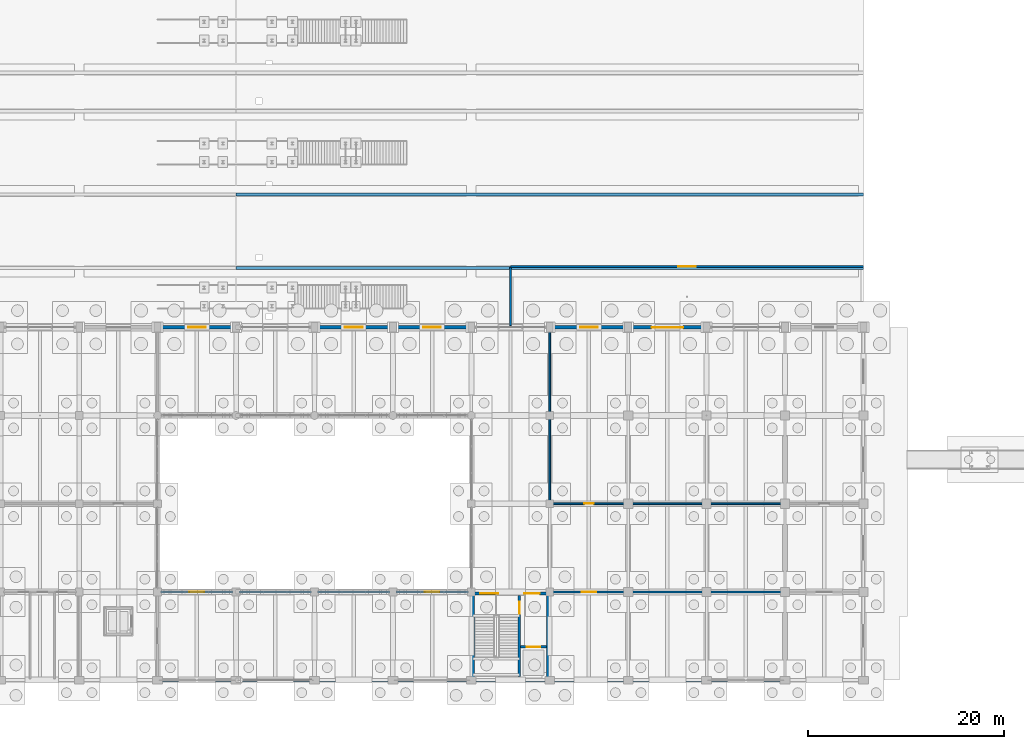
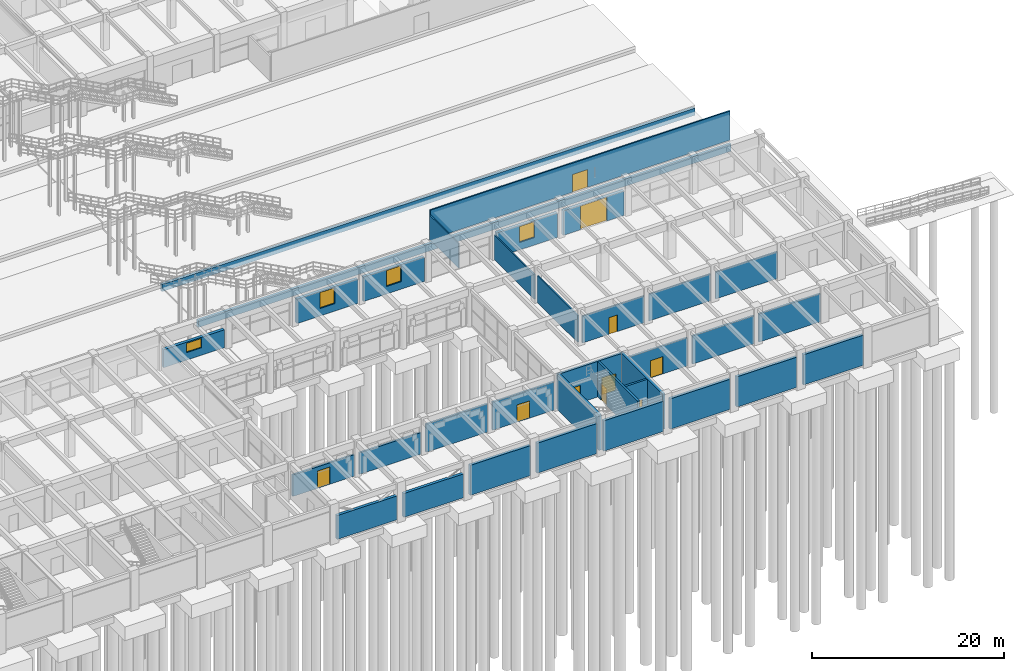
# One storey, part 109 of 147: 34 walls, 10 doors, 4 windows, 14 openings.
"""IFC4 building model written with IfcOpenShell, lengths in metres."""

import ifcopenshell
import ifcopenshell.guid

model = None  # the IFC model being written
_history = None  # IfcOwnerHistory: only IFC2X3 demands one
_inside = {}  # id of a spatial element -> (the spatial element, [elements in it])
_under = {}  # id of a project, library or spatial element -> (it, [spatial elements below it])
_declared = {}  # id of a project -> (the project, [libraries it declares])
_typed = {}  # id of a type object -> (the type object, [elements of that type])
_made_of = {}  # id of a material, layer set ... -> (it, [elements and type objects made of it])


def new_model(schema):
    """Start an empty IFC model of exactly this schema.

    Asked for "IFC4X3", IfcOpenShell would pick the latest addendum, in which some entities
    have other attributes; the version numbers below select the first issue.
    IFC2X3 requires an IfcOwnerHistory on every rooted entity: one is made here for all.
    """
    global model, _history
    if schema == "IFC4X3":
        model = ifcopenshell.file(schema_version=(4, 3, 0, 0))
    else:
        model = ifcopenshell.file(schema=schema)
    _inside.clear()
    _under.clear()
    _declared.clear()
    _typed.clear()
    _made_of.clear()
    _history = None
    if model.schema == "IFC2X3":
        org = make("IfcOrganization", Name="unknown")
        user = make(
            "IfcPersonAndOrganization",
            ThePerson=make("IfcPerson", FamilyName="unknown"),
            TheOrganization=org,
        )
        app = make(
            "IfcApplication",
            ApplicationDeveloper=org,
            Version="unknown",
            ApplicationFullName="unknown",
            ApplicationIdentifier="unknown",
        )
        _history = make(
            "IfcOwnerHistory",
            OwningUser=user,
            OwningApplication=app,
            ChangeAction="ADDED",
            CreationDate=0,
        )
    return model


def make(cls, **values):
    """One entity of the class cls with the attributes given. An attribute that is None is left unset."""
    return model.create_entity(
        cls, **{name: value for name, value in values.items() if value is not None}
    )


def rooted(cls, **values):
    """An entity with a GlobalId (a new one), such as an element, a storey or a relation."""
    return make(cls, GlobalId=ifcopenshell.guid.new(), OwnerHistory=_history, **values)


def si_unit(unit_type, name, prefix=None):
    """IfcSIUnit, for example si_unit("LENGTHUNIT", "METRE", prefix="MILLI")."""
    return make("IfcSIUnit", UnitType=unit_type, Prefix=prefix, Name=name)


def assignment(units):
    """IfcUnitAssignment: the units of a project."""
    return None if units is None else make("IfcUnitAssignment", Units=units)


def point(xyz):
    """IfcCartesianPoint."""
    return None if xyz is None else make("IfcCartesianPoint", Coordinates=xyz)


def direction(xyz):
    """IfcDirection."""
    return None if xyz is None else make("IfcDirection", DirectionRatios=xyz)


def frame(location, z_axis=None, x_axis=None):
    """IfcAxis2Placement3D, a coordinate frame: its origin and axes. An axis left out is left unset."""
    return make(
        "IfcAxis2Placement3D",
        Location=point(location),
        Axis=direction(z_axis),
        RefDirection=direction(x_axis),
    )


def frame_2d(location, x_axis=None):
    """IfcAxis2Placement2D, a coordinate frame in the plane: its origin and x axis."""
    return make(
        "IfcAxis2Placement2D", Location=point(location), RefDirection=direction(x_axis)
    )


def origin():
    """The frame at (0, 0, 0) with its axes left unset."""
    return frame((0.0, 0.0, 0.0))


def place(relative_to, where):
    """IfcLocalPlacement: puts the frame where relative to a parent placement (None: the world)."""
    return make(
        "IfcLocalPlacement", PlacementRelTo=relative_to, RelativePlacement=where
    )


def context(
    kind, dimensions, precision=None, world=None, true_north=None, identifier=None
):
    """IfcGeometricRepresentationContext, for example the 3D "Model" context."""
    return make(
        "IfcGeometricRepresentationContext",
        ContextIdentifier=identifier,
        ContextType=kind,
        CoordinateSpaceDimension=dimensions,
        Precision=precision,
        WorldCoordinateSystem=world,
        TrueNorth=true_north,
    )


def subcontext(parent, identifier, kind, view, scale=None):
    """IfcGeometricRepresentationSubContext, for example "Body" below "Model"."""
    return make(
        "IfcGeometricRepresentationSubContext",
        ContextIdentifier=identifier,
        ContextType=kind,
        ParentContext=parent,
        TargetScale=scale,
        TargetView=view,
    )


def project(units=None, contexts=None):
    """IfcProject with its units and contexts."""
    return rooted(
        "IfcProject",
        Name="project",
        RepresentationContexts=contexts,
        UnitsInContext=assignment(units),
    )


def spatial(cls, under=None, at=None, **own):
    """A site, building, storey or space (cls), placed at a placement, below another one or the project."""
    s = rooted(cls, ObjectPlacement=at, **own)
    if under is not None:
        _under.setdefault(under.id(), (under, []))[1].append(s)
    return s


def profile(cls, at=None, kind="AREA", **sizes):
    """A parametric profile (cls). Its sizes go by their IFC names, for example OverallWidth=200.0."""
    return make(cls, ProfileType=kind, Position=at, **sizes)


def rectangle(**sizes):
    """IfcRectangleProfileDef."""
    return profile("IfcRectangleProfileDef", **sizes)


def extrude(swept, where, along, depth):
    """IfcExtrudedAreaSolid: the profile swept, set in the frame where, extruded along a direction by depth."""
    return make(
        "IfcExtrudedAreaSolid",
        SweptArea=swept,
        Position=where,
        ExtrudedDirection=direction(along),
        Depth=depth,
    )


def shape(context_of_items, identifier, shape_type, items):
    """IfcShapeRepresentation: the items that make up one representation, for example the "Body"."""
    return make(
        "IfcShapeRepresentation",
        ContextOfItems=context_of_items,
        RepresentationIdentifier=identifier,
        RepresentationType=shape_type,
        Items=items,
    )


def material(Name=None, Category=None):
    """IfcMaterial."""
    return make("IfcMaterial", Name=Name, Category=Category)


def layer(
    of_material, thickness, ventilated=None, Name=None, Category=None, Priority=None
):
    """IfcMaterialLayer: one layer of a wall or slab, of a material (None: an air gap)."""
    return make(
        "IfcMaterialLayer",
        Material=of_material,
        LayerThickness=thickness,
        IsVentilated=ventilated,
        Name=Name,
        Category=Category,
        Priority=Priority,
    )


def layer_set(layers, Name=None):
    """IfcMaterialLayerSet."""
    return make("IfcMaterialLayerSet", MaterialLayers=layers, LayerSetName=Name)


def made_of(thing, what):
    """Note that an element or type object is made of a material, layer set ...; save() writes the relation."""
    if what is not None:
        _made_of.setdefault(what.id(), (what, []))[1].append(thing)
    return thing


def type_object(cls, material=None, **own):
    """A type object (cls), such as IfcWallType, which elements share."""
    return made_of(rooted(cls, **own), material)


def element(
    cls,
    number,
    at=None,
    inside=None,
    cuts=None,
    type_object=None,
    material=None,
    context=None,
    identifier="Body",
    shape_type=None,
    held_by="IfcProductDefinitionShape",
    body=None,
    shapes=None,
    **own,
):
    """One element of the class cls, such as IfcWall. Its Tag is "e" and its number.

    at: its placement. inside: the storey or other place that contains it. cuts: it is an
    opening in that element (IfcRelVoidsElement). A single representation is given by context,
    identifier, shape_type and body (its items); several are given by shapes. held_by: the class
    of the entity that holds the representations. save() writes the other relations.
    """
    e = rooted(cls, Tag="e%d" % number, ObjectPlacement=at, **own)
    if body is not None:
        shapes = [shape(context, identifier, shape_type, body)]
    if shapes is not None:
        e.Representation = make(held_by, Representations=shapes)
    if inside is not None:
        _inside.setdefault(inside.id(), (inside, []))[1].append(e)
    if cuts is not None:
        rooted(
            "IfcRelVoidsElement", RelatingBuildingElement=cuts, RelatedOpeningElement=e
        )
    if type_object is not None:
        _typed.setdefault(type_object.id(), (type_object, []))[1].append(e)
    return made_of(e, material)


def fill(opening, filler):
    """IfcRelFillsElement: the door or window that sits in an opening."""
    return rooted(
        "IfcRelFillsElement",
        RelatingOpeningElement=opening,
        RelatedBuildingElement=filler,
    )


def aggregate(whole, parts):
    """IfcRelAggregates: a whole, such as a stair, and the parts it consists of."""
    return rooted("IfcRelAggregates", RelatingObject=whole, RelatedObjects=parts)


def save(model, path):
    """Write the relations noted so far, then the file.

    IfcRelAggregates (storeys below a building ...), IfcRelContainedInSpatialStructure (elements
    in a storey), IfcRelDefinesByType, IfcRelAssociatesMaterial and IfcRelDeclares: one each for
    every whole, place, type object, material and project.
    """
    for whole, parts in _under.values():
        aggregate(whole, parts)
    for where, things in _inside.values():
        rooted(
            "IfcRelContainedInSpatialStructure",
            RelatedElements=things,
            RelatingStructure=where,
        )
    for kind, things in _typed.values():
        rooted("IfcRelDefinesByType", RelatedObjects=things, RelatingType=kind)
    for what, things in _made_of.values():
        rooted("IfcRelAssociatesMaterial", RelatedObjects=things, RelatingMaterial=what)
    for by, libraries in _declared.values():
        rooted("IfcRelDeclares", RelatingContext=by, RelatedDefinitions=libraries)
    model.write(path)


model = new_model("IFC4")

# Units and contexts
model_context = context("Model", 3, precision=1e-05, world=origin(), true_north=direction((0.0, 1.0)))
body_context = subcontext(model_context, "Body", "Model", "MODEL_VIEW")
ifc_project = project(units=[si_unit("LENGTHUNIT", "METRE"), si_unit("AREAUNIT", "SQUARE_METRE"), si_unit("VOLUMEUNIT", "CUBIC_METRE"), si_unit("PLANEANGLEUNIT", "RADIAN"), si_unit("MASSUNIT", "GRAM", prefix="KILO")], contexts=[model_context])

# Site, building, storey
site_placement = place(None, origin())
site = spatial("IfcSite", under=ifc_project, at=site_placement, CompositionType="ELEMENT")
building_placement = place(site_placement, origin())
building = spatial("IfcBuilding", under=site, at=building_placement, Name="Varnabhumi Central Station", CompositionType="ELEMENT")
storey_placement = place(building_placement, origin())
storey = spatial("IfcBuildingStorey", under=building, at=storey_placement, Name="L00", CompositionType="ELEMENT", Elevation=0.0)

# Wall, opening, door
ifc_material_1 = material(Name="Autoclaved aerated blockwork masonry", Category="masonry")
ifc_layer_1 = layer(ifc_material_1, 0.219970703125, Name="Autoclaved aerated blockwork masonry", Category="masonry")
ifc_layer_set_1 = layer_set([ifc_layer_1], Name="Autoclaved aerated blockwork masonry")
wall_type_1 = type_object("IfcWallType", Name="WAL-COMP-AAC-220", PredefinedType="SOLIDWALL", material=ifc_layer_set_1)
wall_1_placement = place(storey_placement, frame((112.300048828125, 9.0, 0.0), z_axis=(0.0, 0.0, 1.0), x_axis=(1.0, 0.0, 0.0)))
wall_1 = element("IfcWall", 1, at=wall_1_placement, inside=storey, type_object=wall_type_1, Name="Rainwater Filtration and STP Plant Room Corridor Partition 1", PredefinedType="SOLIDWALL", context=body_context, shape_type="SweptSolid", body=[
    extrude(rectangle(XDim=7.39990234375, YDim=0.219970703125, at=frame_2d((3.699951171875, 0.0))), origin(), (0.0, 0.0, 1.0), 2.72998046875),
])
opening_1_placement = place(wall_1_placement, frame((2.949951171875, 0.0, 0.0)))
opening_1 = element("IfcOpeningElement", 2, at=opening_1_placement, cuts=wall_1, Name="Opening FD-PLT", PredefinedType="OPENING", context=body_context, shape_type="SweptSolid", body=[
    extrude(rectangle(XDim=1.5, YDim=2.199951171875, at=frame_2d((0.75, 1.10009765625))), frame((0.0, 0.119873046875, 0.0), z_axis=(0.0, -1.0, 0.0), x_axis=(1.0, 0.0, 0.0)), (0.0, 0.0, 1.0), 0.239990234375),
])
ifc_material_2 = material(Name="Stainless steel Grade 316", Category="steel")
door_type_1 = type_object("IfcDoorType", Name="DR-PLANT-1500", OperationType="NOTDEFINED", PredefinedType="DOOR", material=ifc_material_2)
door_1_placement = place(opening_1_placement, origin())
door_1 = element("IfcDoor", 3, at=door_1_placement, inside=storey, type_object=door_type_1, Name="Rainwater Filtration and STP Plant Room Door 1", OperationType="SINGLE_SWING_LEFT", OverallHeight=2.199951171875, OverallWidth=1.5, PredefinedType="DOOR", context=body_context, shape_type="SweptSolid", body=[
    extrude(rectangle(XDim=1.5, YDim=2.199951171875, at=frame_2d((0.75, 1.10009765625))), frame((0.0, 0.02490234375, 0.0), z_axis=(0.0, -1.0, 0.0), x_axis=(1.0, 0.0, 0.0)), (0.0, 0.0, 1.0), 0.050048828125),
])
fill(opening_1, door_1)

# Walls
wall_2_placement = place(storey_placement, frame((120.300048828125, 9.0, 0.0), z_axis=(0.0, 0.0, 1.0), x_axis=(1.0, 0.0, 0.0)))
element("IfcWall", 4, at=wall_2_placement, inside=storey, type_object=wall_type_1, Name="Rainwater Filtration and STP Plant Room Corridor Partition 2", PredefinedType="SOLIDWALL", context=body_context, shape_type="SweptSolid", body=[
    extrude(rectangle(XDim=7.39990234375, YDim=0.219970703125, at=frame_2d((3.699951171875, 0.0))), origin(), (0.0, 0.0, 1.0), 2.72998046875),
])
wall_3_placement = place(storey_placement, frame((128.300048828125, 9.0, 0.0), z_axis=(0.0, 0.0, 1.0), x_axis=(1.0, 0.0, 0.0)))
element("IfcWall", 5, at=wall_3_placement, inside=storey, type_object=wall_type_1, Name="Rainwater Filtration and STP Plant Room Corridor Partition 3", PredefinedType="SOLIDWALL", context=body_context, shape_type="SweptSolid", body=[
    extrude(rectangle(XDim=7.39990234375, YDim=0.219970703125, at=frame_2d((3.699951171875, 0.0))), origin(), (0.0, 0.0, 1.0), 3.56005859375),
])

# Wall, opening, door
wall_4_placement = place(storey_placement, frame((136.300048828125, 9.0, 0.0), z_axis=(0.0, 0.0, 1.0), x_axis=(1.0, 0.0, 0.0)))
wall_4 = element("IfcWall", 6, at=wall_4_placement, inside=storey, type_object=wall_type_1, Name="Rainwater Filtration and STP Plant Room Corridor Partition 4", PredefinedType="SOLIDWALL", context=body_context, shape_type="SweptSolid", body=[
    extrude(rectangle(XDim=7.39990234375, YDim=0.219970703125, at=frame_2d((3.699951171875, 0.0))), origin(), (0.0, 0.0, 1.0), 3.56005859375),
])
opening_2_placement = place(wall_4_placement, frame((2.949951171875, 0.0, 0.0)))
opening_2 = element("IfcOpeningElement", 7, at=opening_2_placement, cuts=wall_4, Name="Opening FD-PLT", PredefinedType="OPENING", context=body_context, shape_type="SweptSolid", body=[
    extrude(rectangle(XDim=1.5, YDim=2.199951171875, at=frame_2d((0.75, 1.10009765625))), frame((0.0, 0.119873046875, 0.0), z_axis=(0.0, -1.0, 0.0), x_axis=(1.0, 0.0, 0.0)), (0.0, 0.0, 1.0), 0.239990234375),
])
door_2_placement = place(opening_2_placement, origin())
door_2 = element("IfcDoor", 8, at=door_2_placement, inside=storey, type_object=door_type_1, Name="Rainwater Filtration and STP Plant Room Door 4", OperationType="SINGLE_SWING_RIGHT", OverallHeight=2.199951171875, OverallWidth=1.5, PredefinedType="DOOR", context=body_context, shape_type="SweptSolid", body=[
    extrude(rectangle(XDim=1.5, YDim=2.199951171875, at=frame_2d((0.75, 1.10009765625))), frame((0.0, 0.02490234375, 0.0), z_axis=(0.0, -1.0, 0.0), x_axis=(1.0, 0.0, 0.0)), (0.0, 0.0, 1.0), 0.050048828125),
])
fill(opening_2, door_2)

wall_5_placement = place(storey_placement, frame((152.300048828125, 9.0, 0.0), z_axis=(0.0, 0.0, 1.0), x_axis=(1.0, 0.0, 0.0)))
wall_5 = element("IfcWall", 9, at=wall_5_placement, inside=storey, type_object=wall_type_1, Name="Acoustic Standby Generator Room Corridor Partition 1", PredefinedType="SOLIDWALL", context=body_context, shape_type="SweptSolid", body=[
    extrude(rectangle(XDim=7.39990234375, YDim=0.219970703125, at=frame_2d((3.699951171875, 0.0))), origin(), (0.0, 0.0, 1.0), 3.56005859375),
])
opening_3_placement = place(wall_5_placement, frame((2.949951171875, 0.0, 0.0)))
opening_3 = element("IfcOpeningElement", 10, at=opening_3_placement, cuts=wall_5, Name="Opening FD-PLT", PredefinedType="OPENING", context=body_context, shape_type="SweptSolid", body=[
    extrude(rectangle(XDim=1.5, YDim=2.199951171875, at=frame_2d((0.75, 1.10009765625))), frame((0.0, 0.119873046875, 0.0), z_axis=(0.0, -1.0, 0.0), x_axis=(1.0, 0.0, 0.0)), (0.0, 0.0, 1.0), 0.239990234375),
])
door_3_placement = place(opening_3_placement, origin())
door_3 = element("IfcDoor", 11, at=door_3_placement, inside=storey, type_object=door_type_1, Name="Acoustic Standby Generator Room Door 1", OperationType="SINGLE_SWING_RIGHT", OverallHeight=2.199951171875, OverallWidth=1.5, PredefinedType="DOOR", context=body_context, shape_type="SweptSolid", body=[
    extrude(rectangle(XDim=1.5, YDim=2.199951171875, at=frame_2d((0.75, 1.10009765625))), frame((0.0, 0.02490234375, 0.0), z_axis=(0.0, -1.0, 0.0), x_axis=(1.0, 0.0, 0.0)), (0.0, 0.0, 1.0), 0.050048828125),
])
fill(opening_3, door_3)

# Walls
for number, where, z_axis, x_axis, name in (
    (12, (160.300048828125, 9.0, 0.0), (0.0, 0.0, 1.0), (1.0, 0.0, 0.0), "Acoustic Standby Generator Room Corridor Partition 2"),
    (13, (168.300048828125, 9.0, 0.0), (0.0, 0.0, 1.0), (1.0, 0.0, 0.0), "Acoustic Standby Generator Room Corridor Partition 3"),
):
    element("IfcWall", number, at=place(storey_placement, frame(where, z_axis=z_axis, x_axis=x_axis)), inside=storey, type_object=wall_type_1, Name=name, PredefinedType="SOLIDWALL", context=body_context, shape_type="SweptSolid", body=[
        extrude(rectangle(XDim=7.39990234375, YDim=0.219970703125, at=frame_2d((3.699951171875, 0.0))), origin(), (0.0, 0.0, 1.0), 3.56005859375),
    ])
ifc_material_3 = material(Name="Concrete M40", Category="concrete")
ifc_layer_2 = layer(ifc_material_3, 0.300048828125, Name="Concrete M40", Category="concrete")
ifc_layer_set_2 = layer_set([ifc_layer_2], Name="Concrete M40")
wall_type_2 = type_object("IfcWallType", Name="WAL-CORE-RC-300", PredefinedType="SHEAR", material=ifc_layer_set_2)
for number, where, z_axis, x_axis, name in (
    (14, (144.179931640625, 0.179931640625, 0.0), (0.0, 0.0, 1.0), (0.0, 1.0, 0.0), "SC3 L00 West Shear Wall"),
    (15, (151.820068359375, 0.179931640625, 0.0), (0.0, 0.0, 1.0), (0.0, 1.0, 0.0), "SC3 L00 East Shear Wall"),
):
    element("IfcWall", number, at=place(storey_placement, frame(where, z_axis=z_axis, x_axis=x_axis)), inside=storey, type_object=wall_type_2, Name=name, PredefinedType="SHEAR", context=body_context, shape_type="SweptSolid", body=[
        extrude(rectangle(XDim=8.64013671875, YDim=0.300048828125, at=frame_2d((4.320068359375, 0.0))), origin(), (0.0, 0.0, 1.0), 4.52001953125),
    ])

# Wall, openings, doors
wall_6_placement = place(storey_placement, frame((144.030029296875, 8.820068359375, 0.0), z_axis=(0.0, 0.0, 1.0), x_axis=(1.0, 0.0, 0.0)))
wall_6 = element("IfcWall", 16, at=wall_6_placement, inside=storey, type_object=wall_type_2, Name="SC3 L00 Corridor Shear Wall", PredefinedType="SHEAR", context=body_context, shape_type="SweptSolid", body=[
    extrude(rectangle(XDim=7.93994140625, YDim=0.300048828125, at=frame_2d((3.969970703125, 0.0))), origin(), (0.0, 0.0, 1.0), 4.52001953125),
])
opening_4_placement = place(wall_6_placement, frame((5.35009765625, 0.0, 0.0)))
opening_4 = element("IfcOpeningElement", 17, at=opening_4_placement, cuts=wall_6, Name="Opening FD-60D", PredefinedType="OPENING", context=body_context, shape_type="SweptSolid", body=[
    extrude(rectangle(XDim=1.60009765625, YDim=2.14990234375, at=frame_2d((0.800048828125, 1.074951171875))), frame((0.0, 0.159912109375, 0.0), z_axis=(0.0, -1.0, 0.0), x_axis=(1.0, 0.0, 0.0)), (0.0, 0.0, 1.0), 0.320068359375),
])
opening_5_placement = place(wall_6_placement, frame((0.89990234375, 0.0, 0.0)))
opening_5 = element("IfcOpeningElement", 18, at=opening_5_placement, cuts=wall_6, Name="Opening FD-120D", PredefinedType="OPENING", context=body_context, shape_type="SweptSolid", body=[
    extrude(rectangle(XDim=1.800048828125, YDim=2.199951171875, at=frame_2d((0.89990234375, 1.10009765625))), frame((0.0, 0.159912109375, 0.0), z_axis=(0.0, -1.0, 0.0), x_axis=(1.0, 0.0, 0.0)), (0.0, 0.0, 1.0), 0.320068359375),
])
door_type_2 = type_object("IfcDoorType", Name="DR-FIRE-120-1800", OperationType="NOTDEFINED", PredefinedType="DOOR", material=ifc_material_2)
door_4_placement = place(opening_5_placement, origin())
door_4 = element("IfcDoor", 19, at=door_4_placement, inside=storey, type_object=door_type_2, Name="ST-S3 L00 Discharge Door", OperationType="DOUBLE_DOOR_SINGLE_SWING", OverallHeight=2.199951171875, OverallWidth=1.800048828125, PredefinedType="DOOR", context=body_context, shape_type="SweptSolid", body=[
    extrude(rectangle(XDim=1.800048828125, YDim=2.199951171875, at=frame_2d((0.89990234375, 1.10009765625))), frame((0.0, 0.02490234375, 0.0), z_axis=(0.0, -1.0, 0.0), x_axis=(1.0, 0.0, 0.0)), (0.0, 0.0, 1.0), 0.050048828125),
])
fill(opening_5, door_4)
ifc_material_4 = material(Name="Intumescent-treated hardwood timber", Category="wood")
door_type_3 = type_object("IfcDoorType", Name="DR-FIRE-60-1600", OperationType="NOTDEFINED", PredefinedType="DOOR", material=ifc_material_4)
door_5_placement = place(opening_4_placement, origin())
door_5 = element("IfcDoor", 20, at=door_5_placement, inside=storey, type_object=door_type_3, Name="SC3 L00 Lobby Fire Door", OperationType="DOUBLE_DOOR_SINGLE_SWING", OverallHeight=2.14990234375, OverallWidth=1.60009765625, PredefinedType="DOOR", context=body_context, shape_type="SweptSolid", body=[
    extrude(rectangle(XDim=1.60009765625, YDim=2.14990234375, at=frame_2d((0.800048828125, 1.074951171875))), frame((0.0, 0.02490234375, 0.0), z_axis=(0.0, -1.0, 0.0), x_axis=(1.0, 0.0, 0.0)), (0.0, 0.0, 1.0), 0.050048828125),
])
fill(opening_4, door_5)

# Wall, opening, window
ifc_material_5 = material(Name="Chunar sandstone masonry", Category="masonry")
ifc_layer_3 = layer(ifc_material_5, 0.360107421875, Name="Chunar sandstone masonry", Category="masonry")
ifc_layer_set_3 = layer_set([ifc_layer_3], Name="Chunar sandstone masonry")
wall_type_3 = type_object("IfcWallType", Name="WAL-EXT-SANDSTONE-360", PredefinedType="SOLIDWALL", material=ifc_layer_set_3)
wall_7_placement = place(storey_placement, frame((112.344970703125, 36.0, 0.0), z_axis=(0.0, 0.0, 1.0), x_axis=(1.0, 0.0, 0.0)))
wall_7 = element("IfcWall", 21, at=wall_7_placement, inside=storey, type_object=wall_type_3, Name="South Spine Wall L00-15", PredefinedType="SOLIDWALL", context=body_context, shape_type="SweptSolid", body=[
    extrude(rectangle(XDim=7.31005859375, YDim=0.360107421875, at=frame_2d((3.655029296875, 0.0))), origin(), (0.0, 0.0, 1.0), 2.280029296875),
])
opening_6_placement = place(wall_7_placement, frame((2.7548828125, 0.0, 0.949951171875)))
opening_6 = element("IfcOpeningElement", 22, at=opening_6_placement, cuts=wall_7, Name="Opening W-02", PredefinedType="OPENING", context=body_context, shape_type="SweptSolid", body=[
    extrude(rectangle(XDim=1.800048828125, YDim=1.18994140625, at=frame_2d((0.89990234375, 0.594970703125))), frame((0.0, 0.18994140625, 0.0), z_axis=(0.0, -1.0, 0.0), x_axis=(1.0, 0.0, 0.0)), (0.0, 0.0, 1.0), 0.380126953125),
])
ifc_material_6 = material(Name="Laminated low-E double glazing", Category="glass")
window_type = type_object("IfcWindowType", Name="WIN-ARCADE-1800x2600", PartitioningType="DOUBLE_PANEL_VERTICAL", PredefinedType="WINDOW", material=ifc_material_6)
window_1_placement = place(opening_6_placement, origin())
window_1 = element("IfcWindow", 23, at=window_1_placement, inside=storey, type_object=window_type, Name="South Spine Overlook Window L00-15", OverallHeight=1.18994140625, OverallWidth=1.800048828125, PartitioningType="SINGLE_PANEL", PredefinedType="WINDOW", context=body_context, shape_type="SweptSolid", body=[
    extrude(rectangle(XDim=1.800048828125, YDim=1.18994140625, at=frame_2d((0.89990234375, 0.594970703125))), frame((0.0, 0.030029296875, 0.0), z_axis=(0.0, -1.0, 0.0), x_axis=(1.0, 0.0, 0.0)), (0.0, 0.0, 1.0), 0.06005859375),
])
fill(opening_6, window_1)

wall_8_placement = place(storey_placement, frame((128.344970703125, 36.0, 0.0), z_axis=(0.0, 0.0, 1.0), x_axis=(1.0, 0.0, 0.0)))
wall_8 = element("IfcWall", 24, at=wall_8_placement, inside=storey, type_object=wall_type_3, Name="South Spine Wall L00-17", PredefinedType="SOLIDWALL", context=body_context, shape_type="SweptSolid", body=[
    extrude(rectangle(XDim=7.31005859375, YDim=0.360107421875, at=frame_2d((3.655029296875, 0.0))), origin(), (0.0, 0.0, 1.0), 3.110107421875),
])
opening_7_placement = place(wall_8_placement, frame((2.7548828125, 0.0, 0.949951171875)))
opening_7 = element("IfcOpeningElement", 25, at=opening_7_placement, cuts=wall_8, Name="Opening W-02", PredefinedType="OPENING", context=body_context, shape_type="SweptSolid", body=[
    extrude(rectangle(XDim=1.800048828125, YDim=2.02001953125, at=frame_2d((0.89990234375, 1.010009765625))), frame((0.0, 0.18994140625, 0.0), z_axis=(0.0, -1.0, 0.0), x_axis=(1.0, 0.0, 0.0)), (0.0, 0.0, 1.0), 0.380126953125),
])
window_2_placement = place(opening_7_placement, origin())
window_2 = element("IfcWindow", 26, at=window_2_placement, inside=storey, type_object=window_type, Name="South Spine Overlook Window L00-17", OverallHeight=2.02001953125, OverallWidth=1.800048828125, PartitioningType="SINGLE_PANEL", PredefinedType="WINDOW", context=body_context, shape_type="SweptSolid", body=[
    extrude(rectangle(XDim=1.800048828125, YDim=2.02001953125, at=frame_2d((0.89990234375, 1.010009765625))), frame((0.0, 0.030029296875, 0.0), z_axis=(0.0, -1.0, 0.0), x_axis=(1.0, 0.0, 0.0)), (0.0, 0.0, 1.0), 0.06005859375),
])
fill(opening_7, window_2)

wall_9_placement = place(storey_placement, frame((136.344970703125, 36.0, 0.0), z_axis=(0.0, 0.0, 1.0), x_axis=(1.0, 0.0, 0.0)))
wall_9 = element("IfcWall", 27, at=wall_9_placement, inside=storey, type_object=wall_type_3, Name="South Spine Wall L00-18", PredefinedType="SOLIDWALL", context=body_context, shape_type="SweptSolid", body=[
    extrude(rectangle(XDim=7.31005859375, YDim=0.360107421875, at=frame_2d((3.655029296875, 0.0))), origin(), (0.0, 0.0, 1.0), 3.110107421875),
])
opening_8_placement = place(wall_9_placement, frame((2.7548828125, 0.0, 0.949951171875)))
opening_8 = element("IfcOpeningElement", 28, at=opening_8_placement, cuts=wall_9, Name="Opening W-02", PredefinedType="OPENING", context=body_context, shape_type="SweptSolid", body=[
    extrude(rectangle(XDim=1.800048828125, YDim=2.02001953125, at=frame_2d((0.89990234375, 1.010009765625))), frame((0.0, 0.18994140625, 0.0), z_axis=(0.0, -1.0, 0.0), x_axis=(1.0, 0.0, 0.0)), (0.0, 0.0, 1.0), 0.380126953125),
])
window_3_placement = place(opening_8_placement, origin())
window_3 = element("IfcWindow", 29, at=window_3_placement, inside=storey, type_object=window_type, Name="South Spine Overlook Window L00-18", OverallHeight=2.02001953125, OverallWidth=1.800048828125, PartitioningType="SINGLE_PANEL", PredefinedType="WINDOW", context=body_context, shape_type="SweptSolid", body=[
    extrude(rectangle(XDim=1.800048828125, YDim=2.02001953125, at=frame_2d((0.89990234375, 1.010009765625))), frame((0.0, 0.030029296875, 0.0), z_axis=(0.0, -1.0, 0.0), x_axis=(1.0, 0.0, 0.0)), (0.0, 0.0, 1.0), 0.06005859375),
])
fill(opening_8, window_3)

wall_10_placement = place(storey_placement, frame((152.344970703125, 36.0, 0.0), z_axis=(0.0, 0.0, 1.0), x_axis=(1.0, 0.0, 0.0)))
wall_10 = element("IfcWall", 30, at=wall_10_placement, inside=storey, type_object=wall_type_3, Name="South Spine Wall L00-20", PredefinedType="SOLIDWALL", context=body_context, shape_type="SweptSolid", body=[
    extrude(rectangle(XDim=7.31005859375, YDim=0.360107421875, at=frame_2d((3.655029296875, 0.0))), origin(), (0.0, 0.0, 1.0), 3.110107421875),
])
opening_9_placement = place(wall_10_placement, frame((2.7548828125, 0.0, 0.949951171875)))
opening_9 = element("IfcOpeningElement", 31, at=opening_9_placement, cuts=wall_10, Name="Opening W-02", PredefinedType="OPENING", context=body_context, shape_type="SweptSolid", body=[
    extrude(rectangle(XDim=1.800048828125, YDim=2.02001953125, at=frame_2d((0.89990234375, 1.010009765625))), frame((0.0, 0.18994140625, 0.0), z_axis=(0.0, -1.0, 0.0), x_axis=(1.0, 0.0, 0.0)), (0.0, 0.0, 1.0), 0.380126953125),
])
window_4_placement = place(opening_9_placement, origin())
window_4 = element("IfcWindow", 32, at=window_4_placement, inside=storey, type_object=window_type, Name="South Spine Overlook Window L00-20", OverallHeight=2.02001953125, OverallWidth=1.800048828125, PartitioningType="SINGLE_PANEL", PredefinedType="WINDOW", context=body_context, shape_type="SweptSolid", body=[
    extrude(rectangle(XDim=1.800048828125, YDim=2.02001953125, at=frame_2d((0.89990234375, 1.010009765625))), frame((0.0, 0.030029296875, 0.0), z_axis=(0.0, -1.0, 0.0), x_axis=(1.0, 0.0, 0.0)), (0.0, 0.0, 1.0), 0.06005859375),
])
fill(opening_9, window_4)

# Wall, opening, door
wall_11_placement = place(storey_placement, frame((160.344970703125, 36.0, 0.0), z_axis=(0.0, 0.0, 1.0), x_axis=(1.0, 0.0, 0.0)))
wall_11 = element("IfcWall", 33, at=wall_11_placement, inside=storey, type_object=wall_type_3, Name="South Spine Wall L00-21", PredefinedType="SOLIDWALL", context=body_context, shape_type="SweptSolid", body=[
    extrude(rectangle(XDim=7.31005859375, YDim=0.360107421875, at=frame_2d((3.655029296875, 0.0))), origin(), (0.0, 0.0, 1.0), 3.110107421875),
])
opening_10_placement = place(wall_11_placement, frame((2.054931640625, 0.0, 0.0)))
opening_10 = element("IfcOpeningElement", 34, at=opening_10_placement, cuts=wall_11, Name="Opening GD-1", PredefinedType="OPENING", context=body_context, shape_type="SweptSolid", body=[
    extrude(rectangle(XDim=3.199951171875, YDim=3.010009765625, at=frame_2d((1.60009765625, 1.5048828125))), frame((0.0, 0.18994140625, 0.0), z_axis=(0.0, -1.0, 0.0), x_axis=(1.0, 0.0, 0.0)), (0.0, 0.0, 1.0), 0.380126953125),
])
door_type_4 = type_object("IfcDoorType", Name="DR-EXT-PARCEL-3200", OperationType="NOTDEFINED", PredefinedType="GATE", material=ifc_material_2)
door_6_placement = place(opening_10_placement, origin())
door_6 = element("IfcDoor", 35, at=door_6_placement, inside=storey, type_object=door_type_4, Name="South Spine Portal 21", OperationType="DOUBLE_DOOR_SLIDING", OverallHeight=3.010009765625, OverallWidth=3.199951171875, PredefinedType="GATE", context=body_context, shape_type="SweptSolid", body=[
    extrude(rectangle(XDim=3.199951171875, YDim=3.010009765625, at=frame_2d((1.60009765625, 1.5048828125))), frame((0.0, 0.02490234375, 0.0), z_axis=(0.0, -1.0, 0.0), x_axis=(1.0, 0.0, 0.0)), (0.0, 0.0, 1.0), 0.050048828125),
])
fill(opening_10, door_6)

ifc_layer_4 = layer(ifc_material_1, 0.159912109375, Name="Autoclaved aerated blockwork masonry", Category="masonry")
ifc_layer_set_4 = layer_set([ifc_layer_4], Name="Autoclaved aerated blockwork masonry")
wall_type_4 = type_object("IfcWallType", Name="WAL-PART-AAC-160", PredefinedType="PARTITIONING", material=ifc_layer_set_4)
wall_12_placement = place(storey_placement, frame((152.300048828125, 18.0, 0.0), z_axis=(0.0, 0.0, 1.0), x_axis=(1.0, 0.0, 0.0)))
wall_12 = element("IfcWall", 36, at=wall_12_placement, inside=storey, type_object=wall_type_4, Name="Parcel Loading Bay and Dispatch Apron Corridor Partition 1", PredefinedType="PARTITIONING", context=body_context, shape_type="SweptSolid", body=[
    extrude(rectangle(XDim=7.39990234375, YDim=0.159912109375, at=frame_2d((3.699951171875, 0.0))), origin(), (0.0, 0.0, 1.0), 3.409912109375),
])
opening_11_placement = place(wall_12_placement, frame((3.199951171875, 0.0, 0.0)))
opening_11 = element("IfcOpeningElement", 37, at=opening_11_placement, cuts=wall_12, Name="Opening D-01", PredefinedType="OPENING", context=body_context, shape_type="SweptSolid", body=[
    extrude(rectangle(XDim=1.0, YDim=2.10009765625, at=frame_2d((0.5, 1.050048828125))), frame((0.0, 0.08984375, 0.0), z_axis=(0.0, -1.0, 0.0), x_axis=(1.0, 0.0, 0.0)), (0.0, 0.0, 1.0), 0.179931640625),
])
door_type_5 = type_object("IfcDoorType", Name="DR-ROOM-1000", OperationType="NOTDEFINED", PredefinedType="DOOR", material=ifc_material_4)
door_7_placement = place(opening_11_placement, frame((1.0, 0.0, 0.0), z_axis=(0.0, 0.0, 1.0), x_axis=(-1.0, 0.0, 0.0)))
door_7 = element("IfcDoor", 38, at=door_7_placement, inside=storey, type_object=door_type_5, Name="Parcel Loading Bay and Dispatch Apron Door 1", OperationType="SINGLE_SWING_RIGHT", OverallHeight=2.10009765625, OverallWidth=1.0, PredefinedType="DOOR", context=body_context, shape_type="SweptSolid", body=[
    extrude(rectangle(XDim=1.0, YDim=2.10009765625, at=frame_2d((0.5, 1.050048828125))), frame((0.0, 0.02490234375, 0.0), z_axis=(0.0, -1.0, 0.0), x_axis=(1.0, 0.0, 0.0)), (0.0, 0.0, 1.0), 0.050048828125),
])
fill(opening_11, door_7)

# Walls
for number, where, z_axis, x_axis, name in (
    (39, (160.300048828125, 18.0, 0.0), (0.0, 0.0, 1.0), (1.0, 0.0, 0.0), "Parcel Loading Bay and Dispatch Apron Corridor Partition 2"),
    (40, (168.300048828125, 18.0, 0.0), (0.0, 0.0, 1.0), (1.0, 0.0, 0.0), "Parcel Loading Bay and Dispatch Apron Corridor Partition 3"),
):
    element("IfcWall", number, at=place(storey_placement, frame(where, z_axis=z_axis, x_axis=x_axis)), inside=storey, type_object=wall_type_4, Name=name, PredefinedType="PARTITIONING", context=body_context, shape_type="SweptSolid", body=[
        extrude(rectangle(XDim=7.39990234375, YDim=0.159912109375, at=frame_2d((3.699951171875, 0.0))), origin(), (0.0, 0.0, 1.0), 3.409912109375),
    ])
wall_13_placement = place(storey_placement, frame((152.0, 18.300048828125, 0.0), z_axis=(0.0, 0.0, 1.0), x_axis=(0.0, 1.0, 0.0)))
element("IfcWall", 41, at=wall_13_placement, inside=storey, type_object=wall_type_4, Name="Parcel Loading Bay and Dispatch Apron E Partition 1", PredefinedType="PARTITIONING", context=body_context, shape_type="SweptSolid", body=[
    extrude(rectangle(XDim=8.39990234375, YDim=0.159912109375, at=frame_2d((4.199951171875, 0.0))), origin(), (0.0, 0.0, 1.0), 3.409912109375),
])
wall_14_placement = place(storey_placement, frame((152.0, 27.300048828125, 0.0), z_axis=(0.0, 0.0, 1.0), x_axis=(0.0, 1.0, 0.0)))
element("IfcWall", 42, at=wall_14_placement, inside=storey, type_object=wall_type_4, Name="Parcel Loading Bay and Dispatch Apron E Partition 2", PredefinedType="PARTITIONING", context=body_context, shape_type="SweptSolid", body=[
    extrude(rectangle(XDim=8.39990234375, YDim=0.159912109375, at=frame_2d((4.199951171875, 0.0))), origin(), (0.0, 0.0, 1.0), 3.110107421875),
])

# Wall, opening, door
wall_15_placement = place(storey_placement, frame((148.0, 42.199951171875, 0.0), z_axis=(0.0, 0.0, 1.0), x_axis=(1.0, 0.0, 0.0)))
wall_15 = element("IfcWall", 43, at=wall_15_placement, inside=storey, type_object=wall_type_4, Name="Platform 1 Seated Waiting Shelter Corridor Partition 1", PredefinedType="PARTITIONING", context=body_context, shape_type="SweptSolid", body=[
    extrude(rectangle(XDim=36.0, YDim=0.159912109375, at=frame_2d((18.0, 0.0))), origin(), (0.0, 0.0, 1.0), 3.699951171875),
])
opening_12_placement = place(wall_15_placement, frame((17.10009765625, 0.0, 0.0)))
opening_12 = element("IfcOpeningElement", 44, at=opening_12_placement, cuts=wall_15, Name="Opening D-02", PredefinedType="OPENING", context=body_context, shape_type="SweptSolid", body=[
    extrude(rectangle(XDim=1.800048828125, YDim=2.25, at=frame_2d((0.89990234375, 1.125))), frame((0.0, 0.08984375, 0.0), z_axis=(0.0, -1.0, 0.0), x_axis=(1.0, 0.0, 0.0)), (0.0, 0.0, 1.0), 0.179931640625),
])
ifc_material_7 = material(Name="Anodised aluminium 6063-T6", Category="aluminium")
door_type_6 = type_object("IfcDoorType", Name="DR-LOUNGE-1800", OperationType="NOTDEFINED", PredefinedType="DOOR", material=ifc_material_7)
door_8_placement = place(opening_12_placement, origin())
door_8 = element("IfcDoor", 45, at=door_8_placement, inside=storey, type_object=door_type_6, Name="Platform 1 Seated Waiting Shelter Door 1", OperationType="DOUBLE_DOOR_SINGLE_SWING", OverallHeight=2.25, OverallWidth=1.800048828125, PredefinedType="DOOR", context=body_context, shape_type="SweptSolid", body=[
    extrude(rectangle(XDim=1.800048828125, YDim=2.25, at=frame_2d((0.89990234375, 1.125))), frame((0.0, 0.02490234375, 0.0), z_axis=(0.0, -1.0, 0.0), x_axis=(1.0, 0.0, 0.0)), (0.0, 0.0, 1.0), 0.050048828125),
])
fill(opening_12, door_8)

# Walls
wall_16_placement = place(storey_placement, frame((148.0, 36.159912109375, 0.0), z_axis=(0.0, 0.0, 1.0), x_axis=(0.0, 1.0, 0.0)))
element("IfcWall", 46, at=wall_16_placement, inside=storey, type_object=wall_type_4, Name="Platform 1 Seated Waiting Shelter E Partition 1", PredefinedType="PARTITIONING", context=body_context, shape_type="SweptSolid", body=[
    extrude(rectangle(XDim=5.960205078125, YDim=0.159912109375, at=frame_2d((2.97998046875, 0.0))), origin(), (0.0, 0.0, 1.0), 3.110107421875),
])
ifc_layer_5 = layer(ifc_material_3, 0.320068359375, Name="Concrete M40", Category="concrete")
ifc_layer_set_5 = layer_set([ifc_layer_5], Name="Concrete M40")
wall_type_5 = type_object("IfcWallType", Name="WAL-PLAT-RET-320", PredefinedType="USERDEFINED", material=ifc_layer_set_5)
for number, where, z_axis, x_axis, name in (
    (47, (120.0, 42.0400390625, -1.2548828125), (0.0, 0.0, 1.0), (1.0, 0.0, 0.0), "Platform 1 Retaining Wall N2"),
    (48, (120.0, 49.56005859375, -1.2548828125), (0.0, 0.0, 1.0), (1.0, 0.0, 0.0), "Platform 2 Retaining Wall S2"),
):
    element("IfcWall", number, at=place(storey_placement, frame(where, z_axis=z_axis, x_axis=x_axis)), inside=storey, type_object=wall_type_5, Name=name, ObjectType="RETAINING WALL", PredefinedType="USERDEFINED", context=body_context, shape_type="SweptSolid", body=[
        extrude(rectangle(XDim=64.0, YDim=0.320068359375, at=frame_2d((32.0, 0.0))), origin(), (0.0, 0.0, 1.0), 0.90478515625),
    ])

# Wall, opening, door
ifc_layer_6 = layer(ifc_material_3, 0.239990234375, Name="Concrete M40", Category="concrete")
ifc_layer_set_6 = layer_set([ifc_layer_6], Name="Concrete M40")
wall_type_6 = type_object("IfcWallType", Name="WAL-SHAFT-RC-240", PredefinedType="SHEAR", material=ifc_layer_set_6)
wall_17_placement = place(storey_placement, frame((148.89990234375, 0.35009765625, 0.0), z_axis=(0.0, 0.0, 1.0), x_axis=(0.0, 1.0, 0.0)))
wall_17 = element("IfcWall", 49, at=wall_17_placement, inside=storey, type_object=wall_type_6, Name="SC3 L00 Stair-Lobby Divider Wall", PredefinedType="SHEAR", context=body_context, shape_type="SweptSolid", body=[
    extrude(rectangle(XDim=8.2998046875, YDim=0.239990234375, at=frame_2d((4.14990234375, 0.0))), origin(), (0.0, 0.0, 1.0), 4.52001953125),
])
opening_13_placement = place(wall_17_placement, frame((6.449951171875, 0.0, 0.0)))
opening_13 = element("IfcOpeningElement", 50, at=opening_13_placement, cuts=wall_17, Name="Opening FD-120", PredefinedType="OPENING", context=body_context, shape_type="SweptSolid", body=[
    extrude(rectangle(XDim=1.199951171875, YDim=2.14990234375, at=frame_2d((0.60009765625, 1.074951171875))), frame((0.0, 0.1298828125, 0.0), z_axis=(0.0, -1.0, 0.0), x_axis=(1.0, 0.0, 0.0)), (0.0, 0.0, 1.0), 0.260009765625),
])
door_type_7 = type_object("IfcDoorType", Name="DR-FIRE-120-1200", OperationType="NOTDEFINED", PredefinedType="DOOR", material=ifc_material_2)
door_9_placement = place(opening_13_placement, frame((1.199951171875, 0.0, 0.0), z_axis=(0.0, 0.0, 1.0), x_axis=(-1.0, 0.0, 0.0)))
door_9 = element("IfcDoor", 51, at=door_9_placement, inside=storey, type_object=door_type_7, Name="ST-S3 L00 Fire Door", OperationType="SINGLE_SWING_LEFT", OverallHeight=2.14990234375, OverallWidth=1.199951171875, PredefinedType="DOOR", context=body_context, shape_type="SweptSolid", body=[
    extrude(rectangle(XDim=1.199951171875, YDim=2.14990234375, at=frame_2d((0.60009765625, 1.074951171875))), frame((0.0, 0.02490234375, 0.0), z_axis=(0.0, -1.0, 0.0), x_axis=(1.0, 0.0, 0.0)), (0.0, 0.0, 1.0), 0.050048828125),
])
fill(opening_13, door_9)

wall_18_placement = place(storey_placement, frame((149.02001953125, 3.39990234375, 0.0), z_axis=(0.0, 0.0, 1.0), x_axis=(1.0, 0.0, 0.0)))
wall_18 = element("IfcWall", 52, at=wall_18_placement, inside=storey, type_object=wall_type_6, Name="GL-1 L00 Lift Shaft Front Wall", PredefinedType="SHEAR", context=body_context, shape_type="SweptSolid", body=[
    extrude(rectangle(XDim=2.6298828125, YDim=0.239990234375, at=frame_2d((1.31494140625, 0.0))), origin(), (0.0, 0.0, 1.0), 4.52001953125),
])
opening_14_placement = place(wall_18_placement, frame((0.614990234375, 0.0, 0.0)))
opening_14 = element("IfcOpeningElement", 53, at=opening_14_placement, cuts=wall_18, Name="Opening LD-GL-1", PredefinedType="OPENING", context=body_context, shape_type="SweptSolid", body=[
    extrude(rectangle(XDim=1.39990234375, YDim=2.14990234375, at=frame_2d((0.699951171875, 1.074951171875))), frame((0.0, 0.1298828125, 0.0), z_axis=(0.0, -1.0, 0.0), x_axis=(1.0, 0.0, 0.0)), (0.0, 0.0, 1.0), 0.260009765625),
])
door_type_8 = type_object("IfcDoorType", Name="DR-LIFT-GOODS-1400", OperationType="NOTDEFINED", PredefinedType="DOOR", material=ifc_material_2)
door_10_placement = place(opening_14_placement, origin())
door_10 = element("IfcDoor", 54, at=door_10_placement, inside=storey, type_object=door_type_8, Name="Lift Landing Door GL-1 L00", OperationType="DOUBLE_DOOR_SLIDING", OverallHeight=2.14990234375, OverallWidth=1.39990234375, PredefinedType="DOOR", context=body_context, shape_type="SweptSolid", body=[
    extrude(rectangle(XDim=1.39990234375, YDim=2.14990234375, at=frame_2d((0.699951171875, 1.074951171875))), frame((0.0, 0.02490234375, 0.0), z_axis=(0.0, -1.0, 0.0), x_axis=(1.0, 0.0, 0.0)), (0.0, 0.0, 1.0), 0.050048828125),
])
fill(opening_14, door_10)

# Walls
ifc_layer_7 = layer(ifc_material_3, 0.340087890625, Name="Concrete M40", Category="concrete")
ifc_layer_set_7 = layer_set([ifc_layer_7], Name="Concrete M40")
wall_type_7 = type_object("IfcWallType", Name="WAL-SOUTH-FIRE-340", PredefinedType="SOLIDWALL", material=ifc_layer_set_7)
for number, where, z_axis, x_axis, name in (
    (55, (112.39990234375, 0.0, 0.0), (0.0, 0.0, 1.0), (1.0, 0.0, 0.0), "South Infill Boundary Fire Wall L00-15"),
    (56, (120.39990234375, 0.0, 0.0), (0.0, 0.0, 1.0), (1.0, 0.0, 0.0), "South Infill Boundary Fire Wall L00-16"),
):
    element("IfcWall", number, at=place(storey_placement, frame(where, z_axis=z_axis, x_axis=x_axis)), inside=storey, type_object=wall_type_7, Name=name, PredefinedType="SOLIDWALL", context=body_context, shape_type="SweptSolid", body=[
        extrude(rectangle(XDim=7.2001953125, YDim=0.340087890625, at=frame_2d((3.60009765625, 0.0))), origin(), (0.0, 0.0, 1.0), 3.030029296875),
    ])
for number, where, z_axis, x_axis, name in (
    (57, (128.39990234375, 0.0, 0.0), (0.0, 0.0, 1.0), (1.0, 0.0, 0.0), "South Infill Boundary Fire Wall L00-17"),
    (58, (136.39990234375, 0.0, 0.0), (0.0, 0.0, 1.0), (1.0, 0.0, 0.0), "South Infill Boundary Fire Wall L00-18"),
):
    element("IfcWall", number, at=place(storey_placement, frame(where, z_axis=z_axis, x_axis=x_axis)), inside=storey, type_object=wall_type_7, Name=name, PredefinedType="SOLIDWALL", context=body_context, shape_type="SweptSolid", body=[
        extrude(rectangle(XDim=7.2001953125, YDim=0.340087890625, at=frame_2d((3.60009765625, 0.0))), origin(), (0.0, 0.0, 1.0), 3.81005859375),
    ])
for number, where, z_axis, x_axis, name in (
    (59, (144.39990234375, 0.0, 0.0), (0.0, 0.0, 1.0), (1.0, 0.0, 0.0), "South Infill Boundary Fire Wall L00-19"),
    (60, (152.39990234375, 0.0, 0.0), (0.0, 0.0, 1.0), (1.0, 0.0, 0.0), "South Infill Boundary Fire Wall L00-20"),
    (61, (160.39990234375, 0.0, 0.0), (0.0, 0.0, 1.0), (1.0, 0.0, 0.0), "South Infill Boundary Fire Wall L00-21"),
    (62, (168.39990234375, 0.0, 0.0), (0.0, 0.0, 1.0), (1.0, 0.0, 0.0), "South Infill Boundary Fire Wall L00-22"),
):
    element("IfcWall", number, at=place(storey_placement, frame(where, z_axis=z_axis, x_axis=x_axis)), inside=storey, type_object=wall_type_7, Name=name, PredefinedType="SOLIDWALL", context=body_context, shape_type="SweptSolid", body=[
        extrude(rectangle(XDim=7.2001953125, YDim=0.340087890625, at=frame_2d((3.60009765625, 0.0))), origin(), (0.0, 0.0, 1.0), 3.840087890625),
    ])

save(model, "model.ifc")
